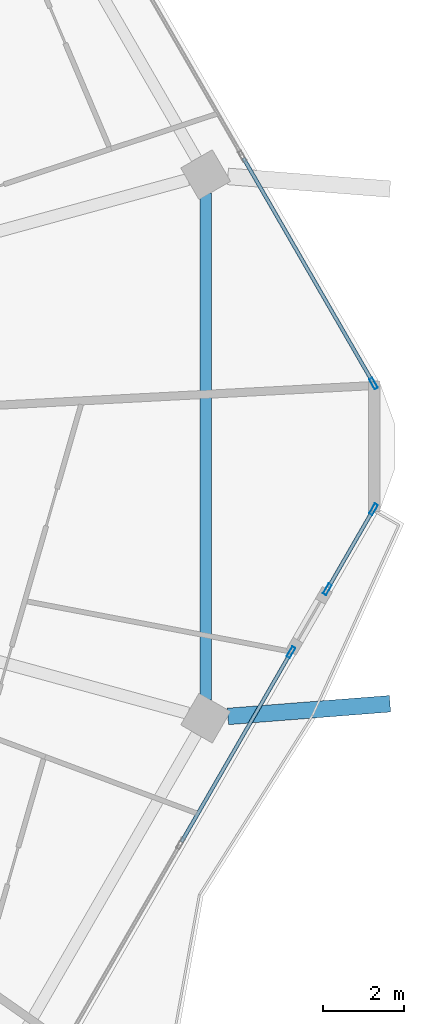
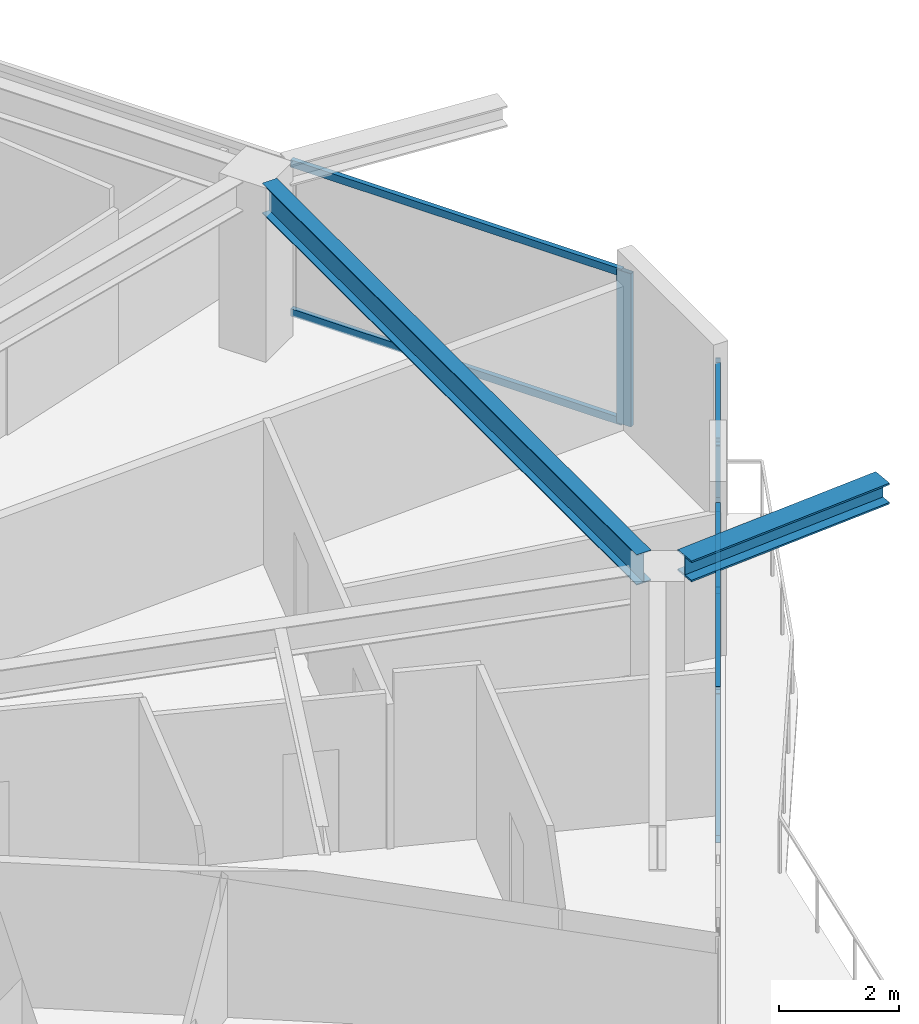
# One storey, part 10 of 25: 10 members, 2 beams, 3 elements without a shape of their own.
"""IFC4 building model written with IfcOpenShell, lengths in metres."""

from ifc_helpers import new_model, si_unit, direction, frame, origin, origin_2d, place, context, subcontext, project, spatial, hollow_rectangle, i_section, extrude, material, material_profile, profile_set, type_object, element, aggregate, save


model = new_model("IFC4")

# Units and contexts
model_context = context("Model", 3, precision=1e-05, world=origin(), true_north=direction((0.0, 1.0)))
body_context = subcontext(model_context, "Body", "Model", "MODEL_VIEW")
ifc_project = project(units=[si_unit("LENGTHUNIT", "METRE"), si_unit("AREAUNIT", "SQUARE_METRE"), si_unit("VOLUMEUNIT", "CUBIC_METRE"), si_unit("PLANEANGLEUNIT", "RADIAN"), si_unit("MASSUNIT", "GRAM", prefix="KILO")], contexts=[model_context])

# Site, building, storey
site_placement = place(None, origin())
site = spatial("IfcSite", under=ifc_project, at=site_placement, CompositionType="ELEMENT")
building_placement = place(site_placement, origin())
building = spatial("IfcBuilding", under=site, at=building_placement, Name="Zuhravey Tower", CompositionType="ELEMENT")
storey_placement = place(building_placement, frame((0.0, 0.0, 257.800048828125)))
storey = spatial("IfcBuildingStorey", under=building, at=storey_placement, Name="L65", CompositionType="ELEMENT", Elevation=257.800048828125)

# Curtain wall, members
ifc_material_1 = material(Name="Thermally broken anodised aluminium", Category="aluminium")
curtain_wall_type = type_object("IfcCurtainWallType", Name="Zone 3-4 High-Rise Curtain Wall CW4", PredefinedType="NOTDEFINED", material=ifc_material_1)
curtain_wall_1_placement = place(storey_placement, origin())
curtain_wall_1 = element("IfcCurtainWall", 1, at=curtain_wall_1_placement, inside=storey, type_object=curtain_wall_type, Name="L65 CW4 CW-L65-F6-1", PredefinedType="NOTDEFINED")
ifc_material_2 = material(Name="Anodised aluminium", Category="aluminium")
ifc_material_profile_1 = material_profile(ifc_material_2, hollow_rectangle(XDim=0.090087890625, YDim=0.284912109375, WallThickness=0.0048828125, at=origin_2d()), Name="ALU-RHS-90x285x5")
ifc_profile_set_1 = profile_set([ifc_material_profile_1], Name="Anodised aluminium")
member_type_1 = type_object("IfcMemberType", Name="Curtain-Wall Mullion 90x180", PredefinedType="MULLION", material=ifc_profile_set_1)
member_1_placement = place(storey_placement, frame((64.62255859375, 30.448486328125, 0.0), z_axis=(0.0, 0.0, 1.0), x_axis=(0.866027291099, -0.499996731061, 0.0)))
member_1 = element("IfcMember", 2, at=member_1_placement, type_object=member_type_1, Name="CW4 mullion 1", PredefinedType="MULLION", context=body_context, shape_type="SweptSolid", body=[
    extrude(hollow_rectangle(XDim=0.090087890625, YDim=0.284912109375, WallThickness=0.0048828125, at=origin_2d()), origin(), (0.0, 0.0, 1.0), 3.1220703125),
])
member_2_placement = place(storey_placement, frame((63.484130859375, 28.4765625, 0.0), z_axis=(0.0, 0.0, 1.0), x_axis=(0.866027291099, -0.499996731061, 0.0)))
member_2 = element("IfcMember", 3, at=member_2_placement, type_object=member_type_1, Name="CW4 mullion 2", PredefinedType="MULLION", context=body_context, shape_type="SweptSolid", body=[
    extrude(hollow_rectangle(XDim=0.090087890625, YDim=0.284912109375, WallThickness=0.0048828125, at=origin_2d()), origin(), (0.0, 0.0, 1.0), 3.1220703125),
])

# Curtain wall, member
curtain_wall_2_placement = place(storey_placement, origin())
curtain_wall_2 = element("IfcCurtainWall", 4, at=curtain_wall_2_placement, inside=storey, type_object=curtain_wall_type, Name="L65 CW4 CW-L65-F6-2", PredefinedType="NOTDEFINED")
member_3_placement = place(storey_placement, frame((62.589111328125, 26.926513671875, 0.0), z_axis=(0.0, 0.0, 1.0), x_axis=(0.866025036881, -0.500000635495, 0.0)))
member_3 = element("IfcMember", 5, at=member_3_placement, type_object=member_type_1, Name="CW4 mullion 1", PredefinedType="MULLION", context=body_context, shape_type="SweptSolid", body=[
    extrude(hollow_rectangle(XDim=0.090087890625, YDim=0.284912109375, WallThickness=0.0048828125, at=origin_2d()), origin(), (0.0, 0.0, 1.0), 3.1220703125),
])

curtain_wall_3_placement = place(storey_placement, origin())
curtain_wall_3 = element("IfcCurtainWall", 6, at=curtain_wall_3_placement, inside=storey, type_object=curtain_wall_type, Name="L65 CW4 CW-L65-F1-1", PredefinedType="NOTDEFINED")
member_4_placement = place(storey_placement, frame((64.62255859375, 33.551513671875, 0.0), z_axis=(0.0, 0.0, 1.0), x_axis=(0.866024851021, 0.500000957414, 0.0)))
member_4 = element("IfcMember", 7, at=member_4_placement, type_object=member_type_1, Name="CW4 mullion 5", PredefinedType="MULLION", context=body_context, shape_type="SweptSolid", body=[
    extrude(hollow_rectangle(XDim=0.090087890625, YDim=0.284912109375, WallThickness=0.0048828125, at=origin_2d()), origin(), (0.0, 0.0, 1.0), 3.1220703125),
])

# Member
ifc_material_profile_2 = material_profile(ifc_material_2, hollow_rectangle(XDim=0.090087890625, YDim=0.14990234375, WallThickness=0.0048828125, at=origin_2d()), Name="ALU-RHS-90x150x5")
ifc_profile_set_2 = profile_set([ifc_material_profile_2], Name="Anodised aluminium")
member_type_2 = type_object("IfcMemberType", Name="Curtain-Wall Transom 90x150", PredefinedType="USERDEFINED", material=ifc_profile_set_2)
member_5_placement = place(storey_placement, frame((64.60009765625, 30.40966796875, 0.044921875), z_axis=(-0.499993018469, -0.866029434536, 0.0), x_axis=(0.866029434536, -0.499993018469, 0.0)))
member_5 = element("IfcMember", 8, at=member_5_placement, type_object=member_type_2, Name="CW4 transom 1.1", ObjectType="TRANSOM", PredefinedType="USERDEFINED", context=body_context, shape_type="SweptSolid", body=[
    extrude(hollow_rectangle(XDim=0.090087890625, YDim=0.14990234375, WallThickness=0.0048828125, at=origin_2d()), origin(), (0.0, 0.0, 1.0), 2.18701171875),
])

member_6_placement = place(storey_placement, frame((64.60009765625, 30.40966796875, 3.076904296875), z_axis=(-0.499993018469, -0.866029434536, 0.0), x_axis=(0.866029434536, -0.499993018469, 0.0)))
member_6 = element("IfcMember", 9, at=member_6_placement, type_object=member_type_2, Name="CW4 transom 1.2", ObjectType="TRANSOM", PredefinedType="USERDEFINED", context=body_context, shape_type="SweptSolid", body=[
    extrude(hollow_rectangle(XDim=0.090087890625, YDim=0.14990234375, WallThickness=0.0048828125, at=origin_2d()), origin(), (0.0, 0.0, 1.0), 2.18701171875),
])

aggregate(curtain_wall_1, [member_1, member_2, member_5, member_6])

member_7_placement = place(storey_placement, frame((62.566650390625, 26.887451171875, 0.044921875), z_axis=(-0.499993468075, -0.86602917496, 0.0), x_axis=(0.86602917496, -0.499993468075, 0.0)))
member_7 = element("IfcMember", 10, at=member_7_placement, type_object=member_type_2, Name="CW4 transom 1.1", ObjectType="TRANSOM", PredefinedType="USERDEFINED", context=body_context, shape_type="SweptSolid", body=[
    extrude(hollow_rectangle(XDim=0.090087890625, YDim=0.14990234375, WallThickness=0.0048828125, at=origin_2d()), origin(), (0.0, 0.0, 1.0), 5.3544921875),
])

member_8_placement = place(storey_placement, frame((62.566650390625, 26.887451171875, 3.076904296875), z_axis=(-0.499993468075, -0.86602917496, 0.0), x_axis=(0.86602917496, -0.499993468075, 0.0)))
member_8 = element("IfcMember", 11, at=member_8_placement, type_object=member_type_2, Name="CW4 transom 1.2", ObjectType="TRANSOM", PredefinedType="USERDEFINED", context=body_context, shape_type="SweptSolid", body=[
    extrude(hollow_rectangle(XDim=0.090087890625, YDim=0.14990234375, WallThickness=0.0048828125, at=origin_2d()), origin(), (0.0, 0.0, 1.0), 5.3544921875),
])

aggregate(curtain_wall_2, [member_3, member_7, member_8])

member_9_placement = place(storey_placement, frame((61.414306640625, 39.108154296875, 0.044921875), z_axis=(0.500008810174, -0.866020317169, 0.0), x_axis=(0.866020317169, 0.500008810174, 0.0)))
member_9 = element("IfcMember", 12, at=member_9_placement, type_object=member_type_2, Name="CW4 transom 4.1", ObjectType="TRANSOM", PredefinedType="USERDEFINED", context=body_context, shape_type="SweptSolid", body=[
    extrude(hollow_rectangle(XDim=0.090087890625, YDim=0.14990234375, WallThickness=0.0048828125, at=origin_2d()), origin(), (0.0, 0.0, 1.0), 6.37158203125),
])

member_10_placement = place(storey_placement, frame((61.414306640625, 39.108154296875, 3.076904296875), z_axis=(0.500008810174, -0.866020317169, 0.0), x_axis=(0.866020317169, 0.500008810174, 0.0)))
member_10 = element("IfcMember", 13, at=member_10_placement, type_object=member_type_2, Name="CW4 transom 4.2", ObjectType="TRANSOM", PredefinedType="USERDEFINED", context=body_context, shape_type="SweptSolid", body=[
    extrude(hollow_rectangle(XDim=0.090087890625, YDim=0.14990234375, WallThickness=0.0048828125, at=origin_2d()), origin(), (0.0, 0.0, 1.0), 6.37158203125),
])

aggregate(curtain_wall_3, [member_4, member_9, member_10])

# Beams
ifc_material_3 = material(Name="Steel SM460", Category="steel")
ifc_material_profile_3 = material_profile(ifc_material_3, i_section(OverallWidth=0.406982421875, OverallDepth=0.427978515625, WebThickness=0.02001953125, FlangeThickness=0.034912109375, at=origin_2d()), Name="H-428x407x20x35")
ifc_profile_set_3 = profile_set([ifc_material_profile_3], Name="Steel SM460")
beam_type_1 = type_object("IfcBeamType", Name="Exoskeleton Node Tie Beam H428x407", PredefinedType="BEAM", material=ifc_profile_set_3)
beam_1_placement = place(storey_placement, frame((61.03271484375, 25.343994140625, 3.3359375), z_axis=(0.996960589137, 0.077907533055, 0.0), x_axis=(-0.077907533055, 0.996960589137, 0.0)))
element("IfcBeam", 14, at=beam_1_placement, inside=storey, type_object=beam_type_1, Name="L65 Exoskeleton Node Tie NT1-12", PredefinedType="BEAM", context=body_context, shape_type="SweptSolid", body=[
    extrude(i_section(OverallWidth=0.406982421875, OverallDepth=0.427978515625, WebThickness=0.02001953125, FlangeThickness=0.034912109375, at=origin_2d()), origin(), (0.0, 0.0, 1.0), 4.008056640625),
])
ifc_material_4 = material(Name="Steel SM355", Category="steel")
ifc_material_profile_4 = material_profile(ifc_material_4, i_section(OverallWidth=0.280029296875, OverallDepth=0.6201171875, WebThickness=0.011962890625, FlangeThickness=0.02001953125, at=origin_2d()), Name="H-620x280x12x20")
ifc_profile_set_4 = profile_set([ifc_material_profile_4], Name="Steel SM355")
beam_type_2 = type_object("IfcBeamType", Name="Perimeter Ring Beam H620x280", PredefinedType="BEAM", material=ifc_profile_set_4)
beam_2_placement = place(storey_placement, frame((60.484619140625, 25.754150390625, 3.239990234375), z_axis=(0.0, 1.0, 0.0), x_axis=(-1.0, 0.0, 0.0)))
element("IfcBeam", 15, at=beam_2_placement, inside=storey, type_object=beam_type_2, Name="L65 PB3 BM-L65-PB-12", PredefinedType="BEAM", context=body_context, shape_type="SweptSolid", body=[
    extrude(i_section(OverallWidth=0.280029296875, OverallDepth=0.6201171875, WebThickness=0.011962890625, FlangeThickness=0.02001953125, at=origin_2d()), origin(), (0.0, 0.0, 1.0), 12.49169921875),
])

save(model, "model.ifc")
